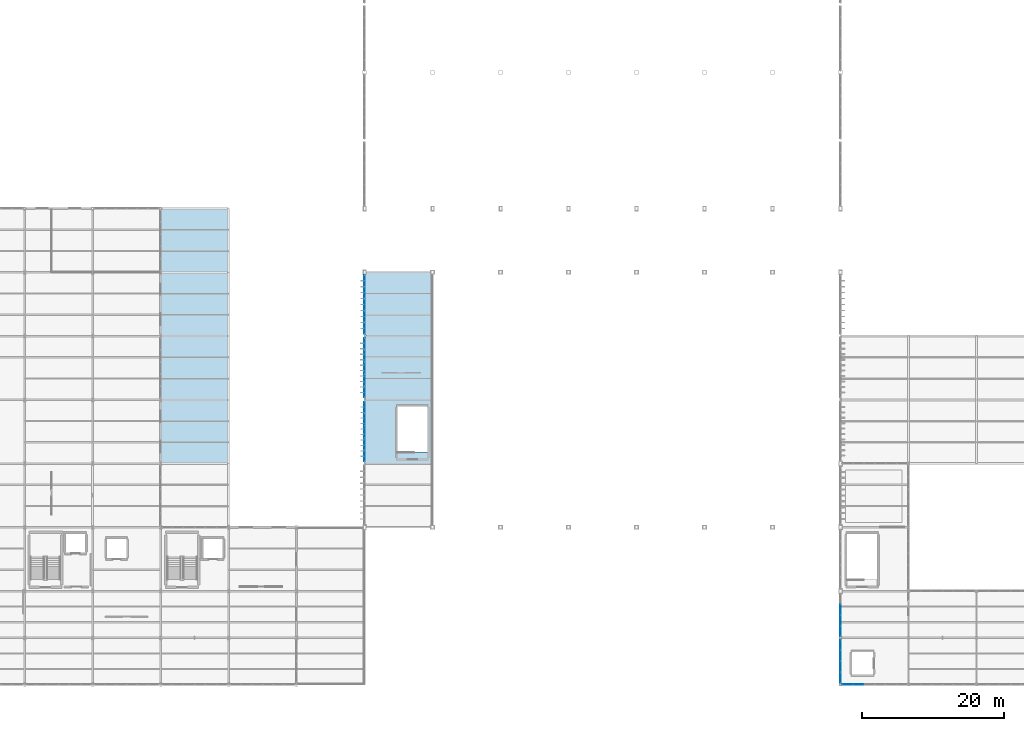
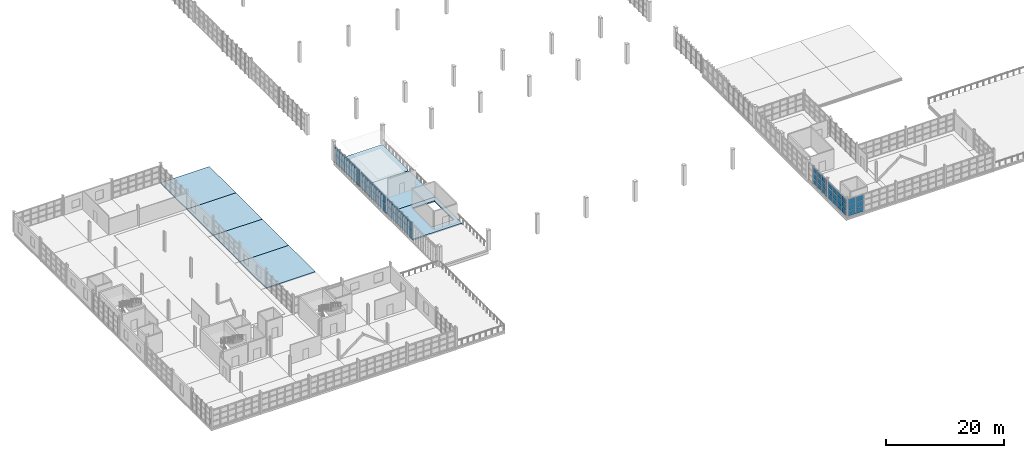
# One storey, part 52 of 82: 57 plates, 7 slabs, 6 elements without a shape of their own.
"""IFC4 building model written with IfcOpenShell, lengths in metres."""

from ifc_helpers import new_model, si_unit, direction, frame, origin, origin_2d, place, context, subcontext, project, spatial, polyline, rectangle, outline, extrude, material, layer, layer_set, type_object, element, aggregate, save


model = new_model("IFC4")

# Units and contexts
model_context = context("Model", 3, precision=1e-05, world=origin(), true_north=direction((0.0, 1.0)))
body_context = subcontext(model_context, "Body", "Model", "MODEL_VIEW")
ifc_project = project(units=[si_unit("LENGTHUNIT", "METRE"), si_unit("AREAUNIT", "SQUARE_METRE"), si_unit("VOLUMEUNIT", "CUBIC_METRE"), si_unit("PLANEANGLEUNIT", "RADIAN"), si_unit("MASSUNIT", "GRAM", prefix="KILO")], contexts=[model_context])

# Site, building, storey
site_placement = place(None, origin())
site = spatial("IfcSite", under=ifc_project, at=site_placement, CompositionType="ELEMENT")
building_placement = place(site_placement, origin())
building = spatial("IfcBuilding", under=site, at=building_placement, Name="Zarnetskaya Central Station", CompositionType="ELEMENT")
storey_placement = place(building_placement, frame((0.0, 0.0, 10.199951171875)))
storey = spatial("IfcBuildingStorey", under=building, at=storey_placement, Name="L02", CompositionType="ELEMENT", Elevation=10.199951171875)

# Curtain wall, plates
ifc_material_1 = material(Name="Low-E insulated glass", Category="glass")
ifc_layer_1 = layer(ifc_material_1, 0.1640625, Name="Low-E insulated glass", Category="glass")
ifc_layer_set_1 = layer_set([ifc_layer_1], Name="Low-E insulated glass")
curtain_wall_type_1 = type_object("IfcCurtainWallType", Name="CW-SYS-07", PredefinedType="USERDEFINED", material=ifc_layer_set_1)
curtain_wall_1_placement = place(storey_placement, origin())
curtain_wall_1 = element("IfcCurtainWall", 1, at=curtain_wall_1_placement, inside=storey, type_object=curtain_wall_type_1, Name="Curtain wall CW-L02-135", ObjectType="CURTAIN WALL", PredefinedType="USERDEFINED")
ifc_layer_2 = layer(ifc_material_1, 0.028076171875, Name="Low-E insulated glass", Category="glass")
ifc_layer_set_2 = layer_set([ifc_layer_2], Name="Low-E insulated glass")
plate_type_1 = type_object("IfcPlateType", Name="CW-PAN-28", PredefinedType="CURTAIN_PANEL", material=ifc_layer_set_2)
plate_1_placement = place(storey_placement, frame((124.800048828125, 7.554443359375, 0.0703125), z_axis=(0.0, 0.0, 1.0), x_axis=(0.0, 1.0, 0.0)))
plate_1 = element("IfcPlate", 2, at=plate_1_placement, type_object=plate_type_1, Name="CW-06 panel 1.1", PredefinedType="CURTAIN_PANEL", context=body_context, shape_type="SweptSolid", body=[
    extrude(rectangle(XDim=1.4130859375, YDim=0.028076171875, at=origin_2d()), origin(), (0.0, 0.0, 1.0), 1.118896484375),
])
plate_2_placement = place(storey_placement, frame((124.800048828125, 7.554443359375, 1.2587890625), z_axis=(0.0, 0.0, 1.0), x_axis=(0.0, 1.0, 0.0)))
plate_2 = element("IfcPlate", 3, at=plate_2_placement, type_object=plate_type_1, Name="CW-06 panel 1.2", PredefinedType="CURTAIN_PANEL", context=body_context, shape_type="SweptSolid", body=[
    extrude(rectangle(XDim=1.4130859375, YDim=0.028076171875, at=origin_2d()), origin(), (0.0, 0.0, 1.0), 1.154052734375),
])
plate_3_placement = place(storey_placement, frame((124.800048828125, 7.554443359375, 2.48291015625), z_axis=(0.0, 0.0, 1.0), x_axis=(0.0, 1.0, 0.0)))
plate_3 = element("IfcPlate", 4, at=plate_3_placement, type_object=plate_type_1, Name="CW-06 panel 1.3", PredefinedType="CURTAIN_PANEL", context=body_context, shape_type="SweptSolid", body=[
    extrude(rectangle(XDim=1.4130859375, YDim=0.028076171875, at=origin_2d()), origin(), (0.0, 0.0, 1.0), 1.047119140625),
])
plate_4_placement = place(storey_placement, frame((124.800048828125, 9.054931640625, 0.0703125), z_axis=(0.0, 0.0, 1.0), x_axis=(0.0, 1.0, 0.0)))
plate_4 = element("IfcPlate", 5, at=plate_4_placement, type_object=plate_type_1, Name="CW-06 panel 2.1", PredefinedType="CURTAIN_PANEL", context=body_context, shape_type="SweptSolid", body=[
    extrude(rectangle(XDim=1.447998046875, YDim=0.028076171875, at=origin_2d()), origin(), (0.0, 0.0, 1.0), 1.118896484375),
])
plate_5_placement = place(storey_placement, frame((124.800048828125, 9.054931640625, 1.2587890625), z_axis=(0.0, 0.0, 1.0), x_axis=(0.0, 1.0, 0.0)))
plate_5 = element("IfcPlate", 6, at=plate_5_placement, type_object=plate_type_1, Name="CW-06 panel 2.2", PredefinedType="CURTAIN_PANEL", context=body_context, shape_type="SweptSolid", body=[
    extrude(rectangle(XDim=1.447998046875, YDim=0.028076171875, at=origin_2d()), origin(), (0.0, 0.0, 1.0), 1.154052734375),
])
plate_6_placement = place(storey_placement, frame((124.800048828125, 9.054931640625, 2.48291015625), z_axis=(0.0, 0.0, 1.0), x_axis=(0.0, 1.0, 0.0)))
plate_6 = element("IfcPlate", 7, at=plate_6_placement, type_object=plate_type_1, Name="CW-06 panel 2.3", PredefinedType="CURTAIN_PANEL", context=body_context, shape_type="SweptSolid", body=[
    extrude(rectangle(XDim=1.447998046875, YDim=0.028076171875, at=origin_2d()), origin(), (0.0, 0.0, 1.0), 1.047119140625),
])
plate_7_placement = place(storey_placement, frame((124.800048828125, 10.572998046875, 0.0703125), z_axis=(0.0, 0.0, 1.0), x_axis=(0.0, 1.0, 0.0)))
plate_7 = element("IfcPlate", 8, at=plate_7_placement, type_object=plate_type_1, Name="CW-06 panel 3.1", PredefinedType="CURTAIN_PANEL", context=body_context, shape_type="SweptSolid", body=[
    extrude(rectangle(XDim=1.447998046875, YDim=0.028076171875, at=origin_2d()), origin(), (0.0, 0.0, 1.0), 1.118896484375),
])
plate_8_placement = place(storey_placement, frame((124.800048828125, 10.572998046875, 1.2587890625), z_axis=(0.0, 0.0, 1.0), x_axis=(0.0, 1.0, 0.0)))
plate_8 = element("IfcPlate", 9, at=plate_8_placement, type_object=plate_type_1, Name="CW-06 panel 3.2", PredefinedType="CURTAIN_PANEL", context=body_context, shape_type="SweptSolid", body=[
    extrude(rectangle(XDim=1.447998046875, YDim=0.028076171875, at=origin_2d()), origin(), (0.0, 0.0, 1.0), 1.154052734375),
])
plate_9_placement = place(storey_placement, frame((124.800048828125, 10.572998046875, 2.48291015625), z_axis=(0.0, 0.0, 1.0), x_axis=(0.0, 1.0, 0.0)))
plate_9 = element("IfcPlate", 10, at=plate_9_placement, type_object=plate_type_1, Name="CW-06 panel 3.3", PredefinedType="CURTAIN_PANEL", context=body_context, shape_type="SweptSolid", body=[
    extrude(rectangle(XDim=1.447998046875, YDim=0.028076171875, at=origin_2d()), origin(), (0.0, 0.0, 1.0), 1.047119140625),
])
aggregate(curtain_wall_1, [plate_1, plate_2, plate_3, plate_4, plate_5, plate_6, plate_7, plate_8, plate_9])

curtain_wall_2_placement = place(storey_placement, origin())
curtain_wall_2 = element("IfcCurtainWall", 11, at=curtain_wall_2_placement, inside=storey, type_object=curtain_wall_type_1, Name="Curtain wall CW-L02-145", ObjectType="CURTAIN WALL", PredefinedType="USERDEFINED")
plate_10_placement = place(storey_placement, frame((127.2958984375, 0.0, 0.06982421875), z_axis=(0.0, 0.0, 1.0), x_axis=(-1.0, 0.0, 0.0)))
plate_10 = element("IfcPlate", 12, at=plate_10_placement, type_object=plate_type_1, Name="CW-06 panel 5.1", PredefinedType="CURTAIN_PANEL", context=body_context, shape_type="SweptSolid", body=[
    extrude(rectangle(XDim=1.475341796875, YDim=0.028076171875, at=origin_2d()), origin(), (0.0, 0.0, 1.0), 1.133056640625),
])
plate_11_placement = place(storey_placement, frame((127.2958984375, 0.0, 1.27294921875), z_axis=(0.0, 0.0, 1.0), x_axis=(-1.0, 0.0, 0.0)))
plate_11 = element("IfcPlate", 13, at=plate_11_placement, type_object=plate_type_1, Name="CW-06 panel 5.2", PredefinedType="CURTAIN_PANEL", context=body_context, shape_type="SweptSolid", body=[
    extrude(rectangle(XDim=1.475341796875, YDim=0.028076171875, at=origin_2d()), origin(), (0.0, 0.0, 1.0), 1.1669921875),
])
plate_12_placement = place(storey_placement, frame((127.2958984375, 0.0, 2.510009765625), z_axis=(0.0, 0.0, 1.0), x_axis=(-1.0, 0.0, 0.0)))
plate_12 = element("IfcPlate", 14, at=plate_12_placement, type_object=plate_type_1, Name="CW-06 panel 5.3", PredefinedType="CURTAIN_PANEL", context=body_context, shape_type="SweptSolid", body=[
    extrude(rectangle(XDim=1.475341796875, YDim=0.028076171875, at=origin_2d()), origin(), (0.0, 0.0, 1.0), 1.06005859375),
])
plate_13_placement = place(storey_placement, frame((125.76806640625, 0.0, 0.06982421875), z_axis=(0.0, 0.0, 1.0), x_axis=(-1.0, 0.0, 0.0)))
plate_13 = element("IfcPlate", 15, at=plate_13_placement, type_object=plate_type_1, Name="CW-06 panel 6.1", PredefinedType="CURTAIN_PANEL", context=body_context, shape_type="SweptSolid", body=[
    extrude(rectangle(XDim=1.4404296875, YDim=0.028076171875, at=origin_2d()), origin(), (0.0, 0.0, 1.0), 1.133056640625),
])
plate_14_placement = place(storey_placement, frame((125.76806640625, 0.0, 1.27294921875), z_axis=(0.0, 0.0, 1.0), x_axis=(-1.0, 0.0, 0.0)))
plate_14 = element("IfcPlate", 16, at=plate_14_placement, type_object=plate_type_1, Name="CW-06 panel 6.2", PredefinedType="CURTAIN_PANEL", context=body_context, shape_type="SweptSolid", body=[
    extrude(rectangle(XDim=1.4404296875, YDim=0.028076171875, at=origin_2d()), origin(), (0.0, 0.0, 1.0), 1.1669921875),
])
plate_15_placement = place(storey_placement, frame((125.76806640625, 0.0, 2.510009765625), z_axis=(0.0, 0.0, 1.0), x_axis=(-1.0, 0.0, 0.0)))
plate_15 = element("IfcPlate", 17, at=plate_15_placement, type_object=plate_type_1, Name="CW-06 panel 6.3", PredefinedType="CURTAIN_PANEL", context=body_context, shape_type="SweptSolid", body=[
    extrude(rectangle(XDim=1.4404296875, YDim=0.028076171875, at=origin_2d()), origin(), (0.0, 0.0, 1.0), 1.06005859375),
])
aggregate(curtain_wall_2, [plate_10, plate_11, plate_12, plate_13, plate_14, plate_15])

ifc_layer_3 = layer(ifc_material_1, 0.176025390625, Name="Low-E insulated glass", Category="glass")
ifc_layer_set_3 = layer_set([ifc_layer_3], Name="Low-E insulated glass")
curtain_wall_type_2 = type_object("IfcCurtainWallType", Name="CW-SYS-15", PredefinedType="USERDEFINED", material=ifc_layer_set_3)
curtain_wall_3_placement = place(storey_placement, origin())
curtain_wall_3 = element("IfcCurtainWall", 18, at=curtain_wall_3_placement, inside=storey, type_object=curtain_wall_type_2, Name="Curtain wall CW-L02-091", ObjectType="CURTAIN WALL", PredefinedType="USERDEFINED")
ifc_layer_4 = layer(ifc_material_1, 0.031982421875, Name="Low-E insulated glass", Category="glass")
ifc_layer_set_4 = layer_set([ifc_layer_4], Name="Low-E insulated glass")
plate_type_2 = type_object("IfcPlateType", Name="CW-PAN-32", PredefinedType="CURTAIN_PANEL", material=ifc_layer_set_4)
plate_16_placement = place(storey_placement, frame((57.60009765625, 32.3173828125, 0.070068359375), z_axis=(0.0, 0.0, 1.0), x_axis=(0.0, 1.0, 0.0)))
plate_16 = element("IfcPlate", 19, at=plate_16_placement, type_object=plate_type_2, Name="CW-05 panel 1.1", PredefinedType="CURTAIN_PANEL", context=body_context, shape_type="SweptSolid", body=[
    extrude(rectangle(XDim=1.594970703125, YDim=0.031982421875, at=origin_2d()), origin(), (0.0, 0.0, 1.0), 1.544921875),
])
plate_17_placement = place(storey_placement, frame((57.60009765625, 32.3173828125, 1.68505859375), z_axis=(0.0, 0.0, 1.0), x_axis=(0.0, 1.0, 0.0)))
plate_17 = element("IfcPlate", 20, at=plate_17_placement, type_object=plate_type_2, Name="CW-05 panel 1.2", PredefinedType="CURTAIN_PANEL", context=body_context, shape_type="SweptSolid", body=[
    extrude(rectangle(XDim=1.594970703125, YDim=0.031982421875, at=origin_2d()), origin(), (0.0, 0.0, 1.0), 1.544921875),
])
plate_18_placement = place(storey_placement, frame((57.60009765625, 34.0, 0.070068359375), z_axis=(0.0, 0.0, 1.0), x_axis=(0.0, 1.0, 0.0)))
plate_18 = element("IfcPlate", 21, at=plate_18_placement, type_object=plate_type_2, Name="CW-05 panel 2.1", PredefinedType="CURTAIN_PANEL", context=body_context, shape_type="SweptSolid", body=[
    extrude(rectangle(XDim=1.6298828125, YDim=0.031982421875, at=origin_2d()), origin(), (0.0, 0.0, 1.0), 1.544921875),
])
plate_19_placement = place(storey_placement, frame((57.60009765625, 34.0, 1.68505859375), z_axis=(0.0, 0.0, 1.0), x_axis=(0.0, 1.0, 0.0)))
plate_19 = element("IfcPlate", 22, at=plate_19_placement, type_object=plate_type_2, Name="CW-05 panel 2.2", PredefinedType="CURTAIN_PANEL", context=body_context, shape_type="SweptSolid", body=[
    extrude(rectangle(XDim=1.6298828125, YDim=0.031982421875, at=origin_2d()), origin(), (0.0, 0.0, 1.0), 1.544921875),
])
plate_20_placement = place(storey_placement, frame((57.60009765625, 35.699951171875, 0.070068359375), z_axis=(0.0, 0.0, 1.0), x_axis=(0.0, 1.0, 0.0)))
plate_20 = element("IfcPlate", 23, at=plate_20_placement, type_object=plate_type_2, Name="CW-05 panel 3.1", PredefinedType="CURTAIN_PANEL", context=body_context, shape_type="SweptSolid", body=[
    extrude(rectangle(XDim=1.6298828125, YDim=0.031982421875, at=origin_2d()), origin(), (0.0, 0.0, 1.0), 1.544921875),
])
plate_21_placement = place(storey_placement, frame((57.60009765625, 35.699951171875, 1.68505859375), z_axis=(0.0, 0.0, 1.0), x_axis=(0.0, 1.0, 0.0)))
plate_21 = element("IfcPlate", 24, at=plate_21_placement, type_object=plate_type_2, Name="CW-05 panel 3.2", PredefinedType="CURTAIN_PANEL", context=body_context, shape_type="SweptSolid", body=[
    extrude(rectangle(XDim=1.6298828125, YDim=0.031982421875, at=origin_2d()), origin(), (0.0, 0.0, 1.0), 1.544921875),
])
plate_22_placement = place(storey_placement, frame((57.60009765625, 37.39990234375, 0.070068359375), z_axis=(0.0, 0.0, 1.0), x_axis=(0.0, 1.0, 0.0)))
plate_22 = element("IfcPlate", 25, at=plate_22_placement, type_object=plate_type_2, Name="CW-05 panel 4.1", PredefinedType="CURTAIN_PANEL", context=body_context, shape_type="SweptSolid", body=[
    extrude(rectangle(XDim=1.6298828125, YDim=0.031982421875, at=origin_2d()), origin(), (0.0, 0.0, 1.0), 1.544921875),
])
plate_23_placement = place(storey_placement, frame((57.60009765625, 37.39990234375, 1.68505859375), z_axis=(0.0, 0.0, 1.0), x_axis=(0.0, 1.0, 0.0)))
plate_23 = element("IfcPlate", 26, at=plate_23_placement, type_object=plate_type_2, Name="CW-05 panel 4.2", PredefinedType="CURTAIN_PANEL", context=body_context, shape_type="SweptSolid", body=[
    extrude(rectangle(XDim=1.6298828125, YDim=0.031982421875, at=origin_2d()), origin(), (0.0, 0.0, 1.0), 1.544921875),
])
plate_24_placement = place(storey_placement, frame((57.60009765625, 39.08251953125, 0.070068359375), z_axis=(0.0, 0.0, 1.0), x_axis=(0.0, 1.0, 0.0)))
plate_24 = element("IfcPlate", 27, at=plate_24_placement, type_object=plate_type_2, Name="CW-05 panel 5.1", PredefinedType="CURTAIN_PANEL", context=body_context, shape_type="SweptSolid", body=[
    extrude(rectangle(XDim=1.594970703125, YDim=0.031982421875, at=origin_2d()), origin(), (0.0, 0.0, 1.0), 1.544921875),
])
plate_25_placement = place(storey_placement, frame((57.60009765625, 39.08251953125, 1.68505859375), z_axis=(0.0, 0.0, 1.0), x_axis=(0.0, 1.0, 0.0)))
plate_25 = element("IfcPlate", 28, at=plate_25_placement, type_object=plate_type_2, Name="CW-05 panel 5.2", PredefinedType="CURTAIN_PANEL", context=body_context, shape_type="SweptSolid", body=[
    extrude(rectangle(XDim=1.594970703125, YDim=0.031982421875, at=origin_2d()), origin(), (0.0, 0.0, 1.0), 1.544921875),
])
aggregate(curtain_wall_3, [plate_16, plate_17, plate_18, plate_19, plate_20, plate_21, plate_22, plate_23, plate_24, plate_25])

curtain_wall_4_placement = place(storey_placement, origin())
curtain_wall_4 = element("IfcCurtainWall", 29, at=curtain_wall_4_placement, inside=storey, type_object=curtain_wall_type_2, Name="Curtain wall CW-L02-097", ObjectType="CURTAIN WALL", PredefinedType="USERDEFINED")
ifc_layer_5 = layer(ifc_material_1, 0.035888671875, Name="Low-E insulated glass", Category="glass")
ifc_layer_set_5 = layer_set([ifc_layer_5], Name="Low-E insulated glass")
plate_type_3 = type_object("IfcPlateType", Name="CW-PAN-36", PredefinedType="CURTAIN_PANEL", material=ifc_layer_set_5)
plate_26_placement = place(storey_placement, frame((57.60009765625, 50.3076171875, 0.070068359375), z_axis=(0.0, 0.0, 1.0), x_axis=(0.0, 1.0, 0.0)))
plate_26 = element("IfcPlate", 30, at=plate_26_placement, type_object=plate_type_3, Name="CW-05 panel 1.1", PredefinedType="CURTAIN_PANEL", context=body_context, shape_type="SweptSolid", body=[
    extrude(rectangle(XDim=1.574951171875, YDim=0.035888671875, at=origin_2d()), origin(), (0.0, 0.0, 1.0), 1.544921875),
])
plate_27_placement = place(storey_placement, frame((57.60009765625, 50.3076171875, 1.68505859375), z_axis=(0.0, 0.0, 1.0), x_axis=(0.0, 1.0, 0.0)))
plate_27 = element("IfcPlate", 31, at=plate_27_placement, type_object=plate_type_3, Name="CW-05 panel 1.2", PredefinedType="CURTAIN_PANEL", context=body_context, shape_type="SweptSolid", body=[
    extrude(rectangle(XDim=1.574951171875, YDim=0.035888671875, at=origin_2d()), origin(), (0.0, 0.0, 1.0), 1.544921875),
])
plate_28_placement = place(storey_placement, frame((57.60009765625, 51.969970703125, 0.070068359375), z_axis=(0.0, 0.0, 1.0), x_axis=(0.0, 1.0, 0.0)))
plate_28 = element("IfcPlate", 32, at=plate_28_placement, type_object=plate_type_3, Name="CW-05 panel 2.1", PredefinedType="CURTAIN_PANEL", context=body_context, shape_type="SweptSolid", body=[
    extrude(rectangle(XDim=1.610107421875, YDim=0.035888671875, at=origin_2d()), origin(), (0.0, 0.0, 1.0), 1.544921875),
])
plate_29_placement = place(storey_placement, frame((57.60009765625, 51.969970703125, 1.68505859375), z_axis=(0.0, 0.0, 1.0), x_axis=(0.0, 1.0, 0.0)))
plate_29 = element("IfcPlate", 33, at=plate_29_placement, type_object=plate_type_3, Name="CW-05 panel 2.2", PredefinedType="CURTAIN_PANEL", context=body_context, shape_type="SweptSolid", body=[
    extrude(rectangle(XDim=1.610107421875, YDim=0.035888671875, at=origin_2d()), origin(), (0.0, 0.0, 1.0), 1.544921875),
])
plate_30_placement = place(storey_placement, frame((57.60009765625, 53.64990234375, 0.070068359375), z_axis=(0.0, 0.0, 1.0), x_axis=(0.0, 1.0, 0.0)))
plate_30 = element("IfcPlate", 34, at=plate_30_placement, type_object=plate_type_3, Name="CW-05 panel 3.1", PredefinedType="CURTAIN_PANEL", context=body_context, shape_type="SweptSolid", body=[
    extrude(rectangle(XDim=1.610107421875, YDim=0.035888671875, at=origin_2d()), origin(), (0.0, 0.0, 1.0), 1.544921875),
])
plate_31_placement = place(storey_placement, frame((57.60009765625, 53.64990234375, 1.68505859375), z_axis=(0.0, 0.0, 1.0), x_axis=(0.0, 1.0, 0.0)))
plate_31 = element("IfcPlate", 35, at=plate_31_placement, type_object=plate_type_3, Name="CW-05 panel 3.2", PredefinedType="CURTAIN_PANEL", context=body_context, shape_type="SweptSolid", body=[
    extrude(rectangle(XDim=1.610107421875, YDim=0.035888671875, at=origin_2d()), origin(), (0.0, 0.0, 1.0), 1.544921875),
])
plate_32_placement = place(storey_placement, frame((57.60009765625, 55.330078125, 0.070068359375), z_axis=(0.0, 0.0, 1.0), x_axis=(0.0, 1.0, 0.0)))
plate_32 = element("IfcPlate", 36, at=plate_32_placement, type_object=plate_type_3, Name="CW-05 panel 4.1", PredefinedType="CURTAIN_PANEL", context=body_context, shape_type="SweptSolid", body=[
    extrude(rectangle(XDim=1.610107421875, YDim=0.035888671875, at=origin_2d()), origin(), (0.0, 0.0, 1.0), 1.544921875),
])
plate_33_placement = place(storey_placement, frame((57.60009765625, 55.330078125, 1.68505859375), z_axis=(0.0, 0.0, 1.0), x_axis=(0.0, 1.0, 0.0)))
plate_33 = element("IfcPlate", 37, at=plate_33_placement, type_object=plate_type_3, Name="CW-05 panel 4.2", PredefinedType="CURTAIN_PANEL", context=body_context, shape_type="SweptSolid", body=[
    extrude(rectangle(XDim=1.610107421875, YDim=0.035888671875, at=origin_2d()), origin(), (0.0, 0.0, 1.0), 1.544921875),
])
plate_34_placement = place(storey_placement, frame((57.60009765625, 56.992431640625, 0.070068359375), z_axis=(0.0, 0.0, 1.0), x_axis=(0.0, 1.0, 0.0)))
plate_34 = element("IfcPlate", 38, at=plate_34_placement, type_object=plate_type_3, Name="CW-05 panel 5.1", PredefinedType="CURTAIN_PANEL", context=body_context, shape_type="SweptSolid", body=[
    extrude(rectangle(XDim=1.574951171875, YDim=0.035888671875, at=origin_2d()), origin(), (0.0, 0.0, 1.0), 1.544921875),
])
plate_35_placement = place(storey_placement, frame((57.60009765625, 56.992431640625, 1.68505859375), z_axis=(0.0, 0.0, 1.0), x_axis=(0.0, 1.0, 0.0)))
plate_35 = element("IfcPlate", 39, at=plate_35_placement, type_object=plate_type_3, Name="CW-05 panel 5.2", PredefinedType="CURTAIN_PANEL", context=body_context, shape_type="SweptSolid", body=[
    extrude(rectangle(XDim=1.574951171875, YDim=0.035888671875, at=origin_2d()), origin(), (0.0, 0.0, 1.0), 1.544921875),
])
aggregate(curtain_wall_4, [plate_26, plate_27, plate_28, plate_29, plate_30, plate_31, plate_32, plate_33, plate_34, plate_35])

curtain_wall_5_placement = place(storey_placement, origin())
curtain_wall_5 = element("IfcCurtainWall", 40, at=curtain_wall_5_placement, inside=storey, type_object=curtain_wall_type_2, Name="Curtain wall CW-L02-094", ObjectType="CURTAIN WALL", PredefinedType="USERDEFINED")
ifc_layer_6 = layer(ifc_material_1, 0.0439453125, Name="Low-E insulated glass", Category="glass")
ifc_layer_set_6 = layer_set([ifc_layer_6], Name="Low-E insulated glass")
plate_type_4 = type_object("IfcPlateType", Name="CW-PAN-44", PredefinedType="CURTAIN_PANEL", material=ifc_layer_set_6)
plate_36_placement = place(storey_placement, frame((57.60009765625, 41.320068359375, 0.080078125), z_axis=(0.0, 0.0, 1.0), x_axis=(0.0, 1.0, 0.0)))
plate_36 = element("IfcPlate", 41, at=plate_36_placement, type_object=plate_type_4, Name="CW-05 panel 1.1", PredefinedType="CURTAIN_PANEL", context=body_context, shape_type="SweptSolid", body=[
    extrude(rectangle(XDim=1.580078125, YDim=0.0439453125, at=origin_2d()), origin(), (0.0, 0.0, 1.0), 1.530029296875),
])
plate_37_placement = place(storey_placement, frame((57.60009765625, 41.320068359375, 1.68994140625), z_axis=(0.0, 0.0, 1.0), x_axis=(0.0, 1.0, 0.0)))
plate_37 = element("IfcPlate", 42, at=plate_37_placement, type_object=plate_type_4, Name="CW-05 panel 1.2", PredefinedType="CURTAIN_PANEL", context=body_context, shape_type="SweptSolid", body=[
    extrude(rectangle(XDim=1.580078125, YDim=0.0439453125, at=origin_2d()), origin(), (0.0, 0.0, 1.0), 1.530029296875),
])
plate_38_placement = place(storey_placement, frame((57.60009765625, 43.0, 0.080078125), z_axis=(0.0, 0.0, 1.0), x_axis=(0.0, 1.0, 0.0)))
plate_38 = element("IfcPlate", 43, at=plate_38_placement, type_object=plate_type_4, Name="CW-05 panel 2.1", PredefinedType="CURTAIN_PANEL", context=body_context, shape_type="SweptSolid", body=[
    extrude(rectangle(XDim=1.6201171875, YDim=0.0439453125, at=origin_2d()), origin(), (0.0, 0.0, 1.0), 1.530029296875),
])
plate_39_placement = place(storey_placement, frame((57.60009765625, 43.0, 1.68994140625), z_axis=(0.0, 0.0, 1.0), x_axis=(0.0, 1.0, 0.0)))
plate_39 = element("IfcPlate", 44, at=plate_39_placement, type_object=plate_type_4, Name="CW-05 panel 2.2", PredefinedType="CURTAIN_PANEL", context=body_context, shape_type="SweptSolid", body=[
    extrude(rectangle(XDim=1.6201171875, YDim=0.0439453125, at=origin_2d()), origin(), (0.0, 0.0, 1.0), 1.530029296875),
])
plate_40_placement = place(storey_placement, frame((57.60009765625, 44.699951171875, 0.080078125), z_axis=(0.0, 0.0, 1.0), x_axis=(0.0, 1.0, 0.0)))
plate_40 = element("IfcPlate", 45, at=plate_40_placement, type_object=plate_type_4, Name="CW-05 panel 3.1", PredefinedType="CURTAIN_PANEL", context=body_context, shape_type="SweptSolid", body=[
    extrude(rectangle(XDim=1.6201171875, YDim=0.0439453125, at=origin_2d()), origin(), (0.0, 0.0, 1.0), 1.530029296875),
])
plate_41_placement = place(storey_placement, frame((57.60009765625, 44.699951171875, 1.68994140625), z_axis=(0.0, 0.0, 1.0), x_axis=(0.0, 1.0, 0.0)))
plate_41 = element("IfcPlate", 46, at=plate_41_placement, type_object=plate_type_4, Name="CW-05 panel 3.2", PredefinedType="CURTAIN_PANEL", context=body_context, shape_type="SweptSolid", body=[
    extrude(rectangle(XDim=1.6201171875, YDim=0.0439453125, at=origin_2d()), origin(), (0.0, 0.0, 1.0), 1.530029296875),
])
plate_42_placement = place(storey_placement, frame((57.60009765625, 46.39990234375, 0.080078125), z_axis=(0.0, 0.0, 1.0), x_axis=(0.0, 1.0, 0.0)))
plate_42 = element("IfcPlate", 47, at=plate_42_placement, type_object=plate_type_4, Name="CW-05 panel 4.1", PredefinedType="CURTAIN_PANEL", context=body_context, shape_type="SweptSolid", body=[
    extrude(rectangle(XDim=1.6201171875, YDim=0.0439453125, at=origin_2d()), origin(), (0.0, 0.0, 1.0), 1.530029296875),
])
plate_43_placement = place(storey_placement, frame((57.60009765625, 46.39990234375, 1.68994140625), z_axis=(0.0, 0.0, 1.0), x_axis=(0.0, 1.0, 0.0)))
plate_43 = element("IfcPlate", 48, at=plate_43_placement, type_object=plate_type_4, Name="CW-05 panel 4.2", PredefinedType="CURTAIN_PANEL", context=body_context, shape_type="SweptSolid", body=[
    extrude(rectangle(XDim=1.6201171875, YDim=0.0439453125, at=origin_2d()), origin(), (0.0, 0.0, 1.0), 1.530029296875),
])
plate_44_placement = place(storey_placement, frame((57.60009765625, 48.080078125, 0.080078125), z_axis=(0.0, 0.0, 1.0), x_axis=(0.0, 1.0, 0.0)))
plate_44 = element("IfcPlate", 49, at=plate_44_placement, type_object=plate_type_4, Name="CW-05 panel 5.1", PredefinedType="CURTAIN_PANEL", context=body_context, shape_type="SweptSolid", body=[
    extrude(rectangle(XDim=1.580078125, YDim=0.0439453125, at=origin_2d()), origin(), (0.0, 0.0, 1.0), 1.530029296875),
])
plate_45_placement = place(storey_placement, frame((57.60009765625, 48.080078125, 1.68994140625), z_axis=(0.0, 0.0, 1.0), x_axis=(0.0, 1.0, 0.0)))
plate_45 = element("IfcPlate", 50, at=plate_45_placement, type_object=plate_type_4, Name="CW-05 panel 5.2", PredefinedType="CURTAIN_PANEL", context=body_context, shape_type="SweptSolid", body=[
    extrude(rectangle(XDim=1.580078125, YDim=0.0439453125, at=origin_2d()), origin(), (0.0, 0.0, 1.0), 1.530029296875),
])
aggregate(curtain_wall_5, [plate_36, plate_37, plate_38, plate_39, plate_40, plate_41, plate_42, plate_43, plate_44, plate_45])

curtain_wall_6_placement = place(storey_placement, origin())
curtain_wall_6 = element("IfcCurtainWall", 51, at=curtain_wall_6_placement, inside=storey, type_object=curtain_wall_type_1, Name="Curtain wall CW-L02-134", ObjectType="CURTAIN WALL", PredefinedType="USERDEFINED")
plate_46_placement = place(storey_placement, frame((124.800048828125, 0.978271484375, 0.080078125), z_axis=(0.0, 0.0, 1.0), x_axis=(0.0, 1.0, 0.0)))
plate_46 = element("IfcPlate", 52, at=plate_46_placement, type_object=plate_type_4, Name="CW-06 panel 1.1", PredefinedType="CURTAIN_PANEL", context=body_context, shape_type="SweptSolid", body=[
    extrude(rectangle(XDim=1.441162109375, YDim=0.0439453125, at=origin_2d()), origin(), (0.0, 0.0, 1.0), 1.10400390625),
])
plate_47_placement = place(storey_placement, frame((124.800048828125, 0.978271484375, 1.263916015625), z_axis=(0.0, 0.0, 1.0), x_axis=(0.0, 1.0, 0.0)))
plate_47 = element("IfcPlate", 53, at=plate_47_placement, type_object=plate_type_4, Name="CW-06 panel 1.2", PredefinedType="CURTAIN_PANEL", context=body_context, shape_type="SweptSolid", body=[
    extrude(rectangle(XDim=1.441162109375, YDim=0.0439453125, at=origin_2d()), origin(), (0.0, 0.0, 1.0), 1.14404296875),
])
plate_48_placement = place(storey_placement, frame((124.800048828125, 0.978271484375, 2.48828125), z_axis=(0.0, 0.0, 1.0), x_axis=(0.0, 1.0, 0.0)))
plate_48 = element("IfcPlate", 54, at=plate_48_placement, type_object=plate_type_4, Name="CW-06 panel 1.3", PredefinedType="CURTAIN_PANEL", context=body_context, shape_type="SweptSolid", body=[
    extrude(rectangle(XDim=1.441162109375, YDim=0.0439453125, at=origin_2d()), origin(), (0.0, 0.0, 1.0), 1.031982421875),
])
plate_49_placement = place(storey_placement, frame((124.800048828125, 2.51953125, 0.080078125), z_axis=(0.0, 0.0, 1.0), x_axis=(0.0, 1.0, 0.0)))
plate_49 = element("IfcPlate", 55, at=plate_49_placement, type_object=plate_type_4, Name="CW-06 panel 2.1", PredefinedType="CURTAIN_PANEL", context=body_context, shape_type="SweptSolid", body=[
    extrude(rectangle(XDim=1.481201171875, YDim=0.0439453125, at=origin_2d()), origin(), (0.0, 0.0, 1.0), 1.10400390625),
])
plate_50_placement = place(storey_placement, frame((124.800048828125, 2.51953125, 1.263916015625), z_axis=(0.0, 0.0, 1.0), x_axis=(0.0, 1.0, 0.0)))
plate_50 = element("IfcPlate", 56, at=plate_50_placement, type_object=plate_type_4, Name="CW-06 panel 2.2", PredefinedType="CURTAIN_PANEL", context=body_context, shape_type="SweptSolid", body=[
    extrude(rectangle(XDim=1.481201171875, YDim=0.0439453125, at=origin_2d()), origin(), (0.0, 0.0, 1.0), 1.14404296875),
])
plate_51_placement = place(storey_placement, frame((124.800048828125, 2.51953125, 2.48828125), z_axis=(0.0, 0.0, 1.0), x_axis=(0.0, 1.0, 0.0)))
plate_51 = element("IfcPlate", 57, at=plate_51_placement, type_object=plate_type_4, Name="CW-06 panel 2.3", PredefinedType="CURTAIN_PANEL", context=body_context, shape_type="SweptSolid", body=[
    extrude(rectangle(XDim=1.481201171875, YDim=0.0439453125, at=origin_2d()), origin(), (0.0, 0.0, 1.0), 1.031982421875),
])
plate_52_placement = place(storey_placement, frame((124.800048828125, 4.08056640625, 0.080078125), z_axis=(0.0, 0.0, 1.0), x_axis=(0.0, 1.0, 0.0)))
plate_52 = element("IfcPlate", 58, at=plate_52_placement, type_object=plate_type_4, Name="CW-06 panel 3.1", PredefinedType="CURTAIN_PANEL", context=body_context, shape_type="SweptSolid", body=[
    extrude(rectangle(XDim=1.481201171875, YDim=0.0439453125, at=origin_2d()), origin(), (0.0, 0.0, 1.0), 1.10400390625),
])
plate_53_placement = place(storey_placement, frame((124.800048828125, 4.08056640625, 1.263916015625), z_axis=(0.0, 0.0, 1.0), x_axis=(0.0, 1.0, 0.0)))
plate_53 = element("IfcPlate", 59, at=plate_53_placement, type_object=plate_type_4, Name="CW-06 panel 3.2", PredefinedType="CURTAIN_PANEL", context=body_context, shape_type="SweptSolid", body=[
    extrude(rectangle(XDim=1.481201171875, YDim=0.0439453125, at=origin_2d()), origin(), (0.0, 0.0, 1.0), 1.14404296875),
])
plate_54_placement = place(storey_placement, frame((124.800048828125, 4.08056640625, 2.48828125), z_axis=(0.0, 0.0, 1.0), x_axis=(0.0, 1.0, 0.0)))
plate_54 = element("IfcPlate", 60, at=plate_54_placement, type_object=plate_type_4, Name="CW-06 panel 3.3", PredefinedType="CURTAIN_PANEL", context=body_context, shape_type="SweptSolid", body=[
    extrude(rectangle(XDim=1.481201171875, YDim=0.0439453125, at=origin_2d()), origin(), (0.0, 0.0, 1.0), 1.031982421875),
])
plate_55_placement = place(storey_placement, frame((124.800048828125, 5.62158203125, 0.080078125), z_axis=(0.0, 0.0, 1.0), x_axis=(0.0, 1.0, 0.0)))
plate_55 = element("IfcPlate", 61, at=plate_55_placement, type_object=plate_type_4, Name="CW-06 panel 4.1", PredefinedType="CURTAIN_PANEL", context=body_context, shape_type="SweptSolid", body=[
    extrude(rectangle(XDim=1.441162109375, YDim=0.0439453125, at=origin_2d()), origin(), (0.0, 0.0, 1.0), 1.10400390625),
])
plate_56_placement = place(storey_placement, frame((124.800048828125, 5.62158203125, 1.263916015625), z_axis=(0.0, 0.0, 1.0), x_axis=(0.0, 1.0, 0.0)))
plate_56 = element("IfcPlate", 62, at=plate_56_placement, type_object=plate_type_4, Name="CW-06 panel 4.2", PredefinedType="CURTAIN_PANEL", context=body_context, shape_type="SweptSolid", body=[
    extrude(rectangle(XDim=1.441162109375, YDim=0.0439453125, at=origin_2d()), origin(), (0.0, 0.0, 1.0), 1.14404296875),
])
plate_57_placement = place(storey_placement, frame((124.800048828125, 5.62158203125, 2.48828125), z_axis=(0.0, 0.0, 1.0), x_axis=(0.0, 1.0, 0.0)))
plate_57 = element("IfcPlate", 63, at=plate_57_placement, type_object=plate_type_4, Name="CW-06 panel 4.3", PredefinedType="CURTAIN_PANEL", context=body_context, shape_type="SweptSolid", body=[
    extrude(rectangle(XDim=1.441162109375, YDim=0.0439453125, at=origin_2d()), origin(), (0.0, 0.0, 1.0), 1.031982421875),
])
aggregate(curtain_wall_6, [plate_46, plate_47, plate_48, plate_49, plate_50, plate_51, plate_52, plate_53, plate_54, plate_55, plate_56, plate_57])

# Slabs
ifc_material_2 = material(Name="Concrete C30/37", Category="concrete")
ifc_layer_7 = layer(ifc_material_2, 0.2099609375, Name="Concrete C30/37", Category="concrete")
ifc_layer_set_7 = layer_set([ifc_layer_7], Name="Concrete C30/37")
slab_type_1 = type_object("IfcSlabType", Name="ROOF-FLAT-210", PredefinedType="ROOF", material=ifc_layer_set_7)
slab_1_placement = place(storey_placement, frame((0.0, 0.0, -0.2099609375)))
element("IfcSlab", 64, at=slab_1_placement, inside=storey, type_object=slab_type_1, Name="L02 slab D-E/5-6", PredefinedType="ROOF", context=body_context, shape_type="SweptSolid", body=[
    extrude(outline(polyline([(28.800048828125, 31.199951171875), (38.39990234375, 31.199951171875), (38.39990234375, 40.199951171875), (28.800048828125, 40.199951171875), (28.800048828125, 31.199951171875)])), origin(), (0.0, 0.0, 1.0), 0.2099609375),
])
slab_2_placement = place(storey_placement, frame((0.0, 0.0, -0.2099609375)))
element("IfcSlab", 65, at=slab_2_placement, inside=storey, type_object=slab_type_1, Name="L02 slab D-E/6-7", PredefinedType="ROOF", context=body_context, shape_type="SweptSolid", body=[
    extrude(outline(polyline([(28.800048828125, 40.199951171875), (38.39990234375, 40.199951171875), (38.39990234375, 49.199951171875), (28.800048828125, 49.199951171875), (28.800048828125, 40.199951171875)])), origin(), (0.0, 0.0, 1.0), 0.2099609375),
])
slab_3_placement = place(storey_placement, frame((0.0, 0.0, -0.2099609375)))
element("IfcSlab", 66, at=slab_3_placement, inside=storey, type_object=slab_type_1, Name="L02 slab D-E/7-8", PredefinedType="ROOF", context=body_context, shape_type="SweptSolid", body=[
    extrude(outline(polyline([(28.800048828125, 49.199951171875), (38.39990234375, 49.199951171875), (38.39990234375, 58.199951171875), (28.800048828125, 58.199951171875), (28.800048828125, 49.199951171875)])), origin(), (0.0, 0.0, 1.0), 0.2099609375),
])
slab_4_placement = place(storey_placement, frame((0.0, 0.0, -0.2099609375)))
element("IfcSlab", 67, at=slab_4_placement, inside=storey, type_object=slab_type_1, Name="L02 slab D-E/8-9", PredefinedType="ROOF", context=body_context, shape_type="SweptSolid", body=[
    extrude(outline(polyline([(28.800048828125, 58.199951171875), (38.39990234375, 58.199951171875), (38.39990234375, 67.199951171875), (28.800048828125, 67.199951171875), (28.800048828125, 58.199951171875)])), origin(), (0.0, 0.0, 1.0), 0.2099609375),
])
ifc_layer_8 = layer(ifc_material_2, 0.260009765625, Name="Concrete C30/37", Category="concrete")
ifc_layer_set_8 = layer_set([ifc_layer_8], Name="Concrete C30/37")
slab_type_2 = type_object("IfcSlabType", Name="SLAB-L02-260", PredefinedType="FLOOR", material=ifc_layer_set_8)
slab_5_placement = place(storey_placement, frame((0.0, 0.0, -0.260009765625)))
element("IfcSlab", 68, at=slab_5_placement, inside=storey, type_object=slab_type_2, Name="L02 slab G-H/5-6", PredefinedType="FLOOR", context=body_context, shape_type="SweptSolid", body=[
    extrude(outline(polyline([(57.60009765625, 31.199951171875), (67.199951171875, 31.199951171875), (67.199951171875, 40.199951171875), (57.60009765625, 40.199951171875), (57.60009765625, 31.199951171875)]), holes=[polyline([(62.199951171875, 32.804931640625), (66.5, 32.804931640625), (66.5, 39.300048828125), (62.199951171875, 39.300048828125), (62.199951171875, 32.804931640625)])]), origin(), (0.0, 0.0, 1.0), 0.260009765625),
])
slab_6_placement = place(storey_placement, frame((0.0, 0.0, -0.260009765625)))
element("IfcSlab", 69, at=slab_6_placement, inside=storey, type_object=slab_type_2, Name="L02 slab G-H/6-7", PredefinedType="FLOOR", context=body_context, shape_type="SweptSolid", body=[
    extrude(outline(polyline([(57.89990234375, 40.199951171875), (66.89990234375, 40.199951171875), (67.199951171875, 40.5), (67.199951171875, 48.89990234375), (66.89990234375, 49.199951171875), (57.89990234375, 49.199951171875), (57.60009765625, 48.89990234375), (57.60009765625, 40.5), (57.89990234375, 40.199951171875)])), origin(), (0.0, 0.0, 1.0), 0.260009765625),
])
slab_7_placement = place(storey_placement, frame((0.0, 0.0, -0.260009765625)))
element("IfcSlab", 70, at=slab_7_placement, inside=storey, type_object=slab_type_2, Name="L02 slab G-H/7-8", PredefinedType="FLOOR", context=body_context, shape_type="SweptSolid", body=[
    extrude(outline(polyline([(57.89990234375, 49.199951171875), (66.89990234375, 49.199951171875), (67.199951171875, 49.5), (67.199951171875, 57.89990234375), (66.89990234375, 58.199951171875), (57.89990234375, 58.199951171875), (57.60009765625, 57.89990234375), (57.60009765625, 49.5), (57.89990234375, 49.199951171875)])), origin(), (0.0, 0.0, 1.0), 0.260009765625),
])

save(model, "model.ifc")
